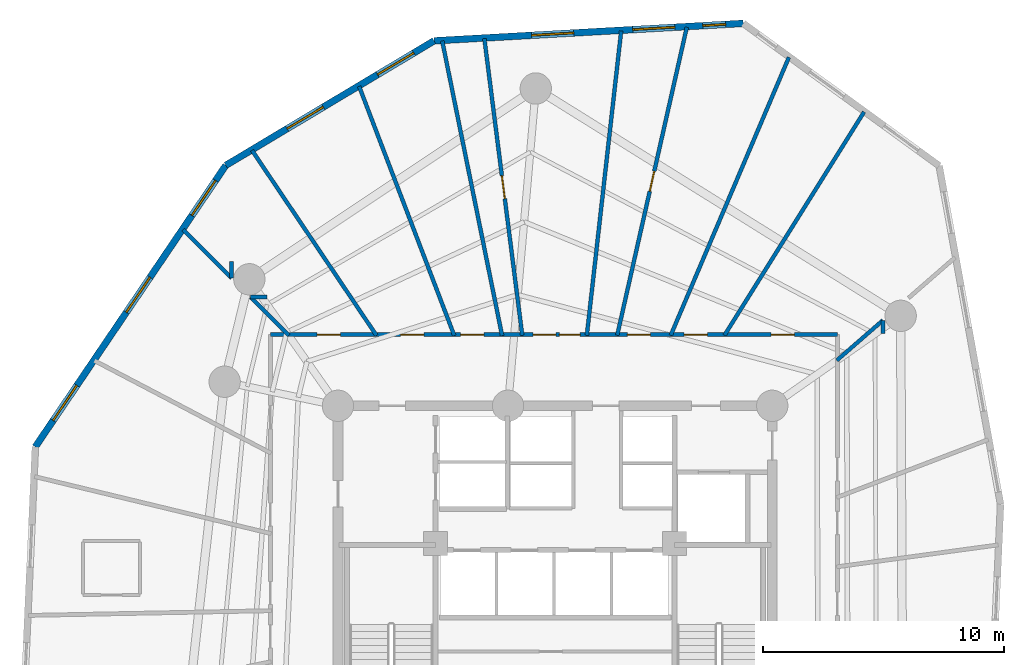
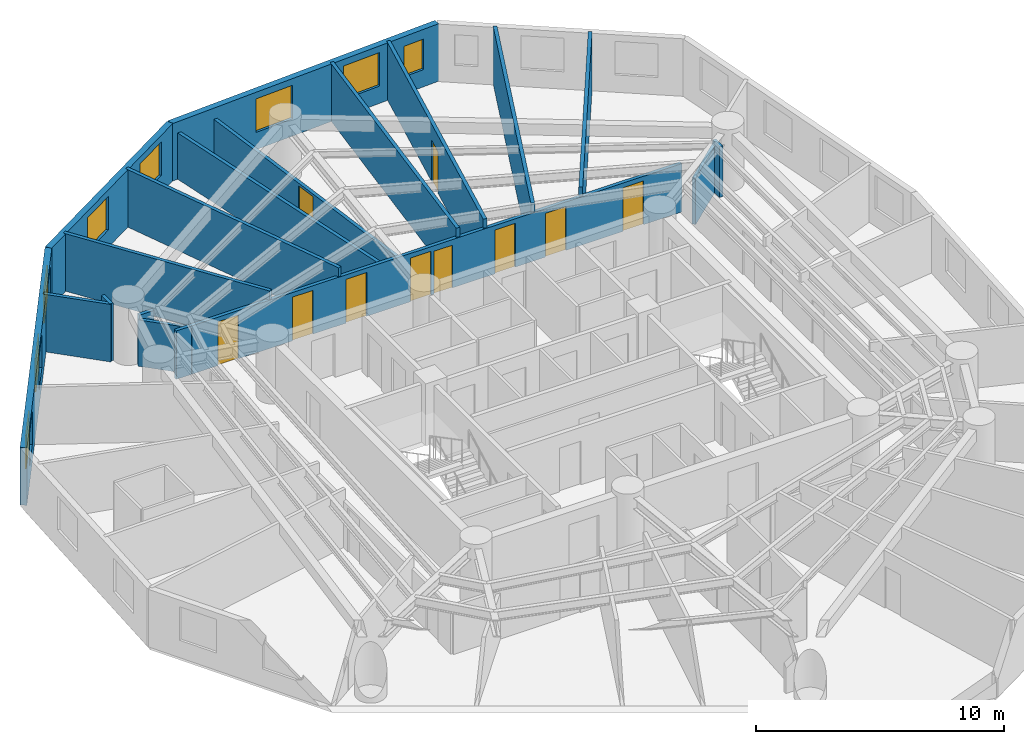
# One storey, part 6 of 8: 18 walls, 10 doors, 8 windows, 18 openings.
"""IFC4 building model written with IfcOpenShell, lengths in metres."""

from ifc_helpers import new_model, si_unit, direction, frame, frame_2d, origin, origin_with_axes, place, context, subcontext, project, spatial, rectangle, extrude, source, transform, mapped, material, layer, layer_set, type_object, element, fill, save


model = new_model("IFC4")

# Units and contexts
model_context = context("Model", 3, precision=1e-05, world=origin(), true_north=direction((0.0, 1.0)))
body_context = subcontext(model_context, "Body", "Model", "MODEL_VIEW")
ifc_project = project(units=[si_unit("LENGTHUNIT", "METRE"), si_unit("AREAUNIT", "SQUARE_METRE"), si_unit("VOLUMEUNIT", "CUBIC_METRE"), si_unit("PLANEANGLEUNIT", "RADIAN"), si_unit("MASSUNIT", "GRAM", prefix="KILO")], contexts=[model_context])

# Site, building, storey
site_placement = place(None, origin())
site = spatial("IfcSite", under=ifc_project, at=site_placement, CompositionType="ELEMENT")
building_placement = place(site_placement, origin())
building = spatial("IfcBuilding", under=site, at=building_placement, Name="Karkom Vertical University and Central Library", CompositionType="ELEMENT")
storey_placement = place(building_placement, frame((0.0, 0.0, 180.949951171875)))
storey = spatial("IfcBuildingStorey", under=building, at=storey_placement, Name="L52", CompositionType="ELEMENT", Elevation=180.949951171875)

# Wall, openings, windows
ifc_material_1 = material(Name="Brick-faced precast concrete C45/55", Category="masonry")
ifc_layer_1 = layer(ifc_material_1, 0.280029296875)
ifc_layer_set_1 = layer_set([ifc_layer_1], Name="Brick-faced precast concrete C45/55")
wall_type_1 = type_object("IfcWallType", Name="ENV-WL-BRK-280", PredefinedType="SOLIDWALL", material=ifc_layer_set_1)
wall_1_placement = place(storey_placement, frame((36.30029296875, 50.5498046875, 0.0), z_axis=(0.0, 0.0, 1.0), x_axis=(-0.998416329784, -0.056256843315, 0.0)))
wall_1 = element("IfcWall", 1, at=wall_1_placement, inside=storey, type_object=wall_type_1, Name="Level 52 Brick-Faced Precast Facade Wall 10", PredefinedType="SOLIDWALL", context=body_context, shape_type="SweptSolid", body=[
    extrude(rectangle(XDim=12.8369140625, YDim=0.280029296875, at=frame_2d((6.41845703125, 0.0))), origin(), (0.0, 0.0, 1.0), 2.824951171875),
])
opening_1_placement = place(wall_1_placement, frame((0.73291015625, 0.0, 0.85009765625)))
opening_1 = element("IfcOpeningElement", 2, at=opening_1_placement, cuts=wall_1, Name="Opening WN-12", PredefinedType="OPENING", context=body_context, shape_type="SweptSolid", body=[
    extrude(rectangle(XDim=0.949951171875, YDim=1.5, at=frame_2d((0.47509765625, 0.75))), frame((0.0, 0.14990234375, 0.0), z_axis=(0.0, -1.0, 0.0), x_axis=(1.0, 0.0, 0.0)), (0.0, 0.0, 1.0), 0.300048828125),
])
opening_2_placement = place(wall_1_placement, frame((2.840576171875, 0.0, 0.85009765625)))
opening_2 = element("IfcOpeningElement", 3, at=opening_2_placement, cuts=wall_1, Name="Opening WN-08", PredefinedType="OPENING", context=body_context, shape_type="SweptSolid", body=[
    extrude(rectangle(XDim=1.75, YDim=1.64990234375, at=frame_2d((0.875, 0.824951171875))), frame((0.0, 0.14990234375, 0.0), z_axis=(0.0, -1.0, 0.0), x_axis=(1.0, 0.0, 0.0)), (0.0, 0.0, 1.0), 0.300048828125),
])
opening_3_placement = place(wall_1_placement, frame((7.0361328125, 0.0, 0.85009765625)))
opening_3 = element("IfcOpeningElement", 4, at=opening_3_placement, cuts=wall_1, Name="Opening WN-08", PredefinedType="OPENING", context=body_context, shape_type="SweptSolid", body=[
    extrude(rectangle(XDim=1.75, YDim=1.64990234375, at=frame_2d((0.875, 0.824951171875))), frame((0.0, 0.14990234375, 0.0), z_axis=(0.0, -1.0, 0.0), x_axis=(1.0, 0.0, 0.0)), (0.0, 0.0, 1.0), 0.300048828125),
])
ifc_material_2 = material(Name="Aluminium thermal-break frame with solar-control IGU", Category="aluminium")
window_type_1 = type_object("IfcWindowType", Name="ENV-WIN-WN-12", PartitioningType="SINGLE_PANEL", PredefinedType="WINDOW", material=ifc_material_2)
shared_shape_1 = source(origin_with_axes(), body_context, "Body", "SweptSolid", [
    extrude(rectangle(XDim=0.949951171875, YDim=1.5, at=frame_2d((0.47509765625, 0.75))), frame((0.0, 0.030029296875, 0.0), z_axis=(0.0, -1.0, 0.0), x_axis=(1.0, 0.0, 0.0)), (0.0, 0.0, 1.0), 0.06005859375),
])
window_1_placement = place(opening_1_placement, origin())
window_1 = element("IfcWindow", 5, at=window_1_placement, inside=storey, type_object=window_type_1, Name="Level 52 Punched Window 10.1", OverallHeight=1.5, OverallWidth=0.949951171875, PartitioningType="SINGLE_PANEL", PredefinedType="WINDOW", context=body_context, shape_type="MappedRepresentation", body=[
    mapped(shared_shape_1, transform((0.0, 0.0, 0.0), scale=1.0)),
])
fill(opening_1, window_1)
window_type_2 = type_object("IfcWindowType", Name="ENV-WIN-WN-08", PartitioningType="SINGLE_PANEL", PredefinedType="WINDOW", material=ifc_material_2)
shared_shape_2 = source(origin_with_axes(), body_context, "Body", "SweptSolid", [
    extrude(rectangle(XDim=1.75, YDim=1.64990234375, at=frame_2d((0.875, 0.824951171875))), frame((0.0, 0.030029296875, 0.0), z_axis=(0.0, -1.0, 0.0), x_axis=(1.0, 0.0, 0.0)), (0.0, 0.0, 1.0), 0.06005859375),
])
window_2_placement = place(opening_2_placement, origin())
window_2 = element("IfcWindow", 6, at=window_2_placement, inside=storey, type_object=window_type_2, Name="Level 52 Punched Window 10.2", OverallHeight=1.64990234375, OverallWidth=1.75, PartitioningType="SINGLE_PANEL", PredefinedType="WINDOW", context=body_context, shape_type="MappedRepresentation", body=[
    mapped(shared_shape_2, transform((0.0, 0.0, 0.0), scale=1.0)),
])
fill(opening_2, window_2)
window_3_placement = place(opening_3_placement, origin())
window_3 = element("IfcWindow", 7, at=window_3_placement, inside=storey, type_object=window_type_2, Name="Level 52 Punched Window 10.3", OverallHeight=1.64990234375, OverallWidth=1.75, PartitioningType="SINGLE_PANEL", PredefinedType="WINDOW", context=body_context, shape_type="MappedRepresentation", body=[
    mapped(shared_shape_2, transform((0.0, 0.0, 0.0), scale=1.0)),
])
fill(opening_3, window_3)

wall_2_placement = place(storey_placement, frame((23.483642578125, 49.82763671875, 0.0), z_axis=(0.0, 0.0, 1.0), x_axis=(-0.858224492281, -0.51327450828, 0.0)))
wall_2 = element("IfcWall", 8, at=wall_2_placement, inside=storey, type_object=wall_type_1, Name="Level 52 Brick-Faced Precast Facade Wall 11", PredefinedType="SOLIDWALL", context=body_context, shape_type="SweptSolid", body=[
    extrude(rectangle(XDim=10.05859375, YDim=0.280029296875, at=frame_2d((5.029296875, 0.0))), origin(), (0.0, 0.0, 1.0), 2.824951171875),
])
opening_4_placement = place(wall_2_placement, frame((0.97509765625, 0.0, 0.85009765625)))
opening_4 = element("IfcOpeningElement", 9, at=opening_4_placement, cuts=wall_2, Name="Opening WN-08", PredefinedType="OPENING", context=body_context, shape_type="SweptSolid", body=[
    extrude(rectangle(XDim=1.75, YDim=1.64990234375, at=frame_2d((0.875, 0.824951171875))), frame((0.0, 0.14990234375, 0.0), z_axis=(0.0, -1.0, 0.0), x_axis=(1.0, 0.0, 0.0)), (0.0, 0.0, 1.0), 0.300048828125),
])
opening_5_placement = place(wall_2_placement, frame((5.347412109375, 0.0, 0.85009765625)))
opening_5 = element("IfcOpeningElement", 10, at=opening_5_placement, cuts=wall_2, Name="Opening WN-08", PredefinedType="OPENING", context=body_context, shape_type="SweptSolid", body=[
    extrude(rectangle(XDim=1.75, YDim=1.64990234375, at=frame_2d((0.875, 0.824951171875))), frame((0.0, 0.14990234375, 0.0), z_axis=(0.0, -1.0, 0.0), x_axis=(1.0, 0.0, 0.0)), (0.0, 0.0, 1.0), 0.300048828125),
])
window_4_placement = place(opening_4_placement, origin())
window_4 = element("IfcWindow", 11, at=window_4_placement, inside=storey, type_object=window_type_2, Name="Level 52 Punched Window 11.1", OverallHeight=1.64990234375, OverallWidth=1.75, PartitioningType="SINGLE_PANEL", PredefinedType="WINDOW", context=body_context, shape_type="MappedRepresentation", body=[
    mapped(shared_shape_2, transform((0.0, 0.0, 0.0), scale=1.0)),
])
fill(opening_4, window_4)
window_5_placement = place(opening_5_placement, origin())
window_5 = element("IfcWindow", 12, at=window_5_placement, inside=storey, type_object=window_type_2, Name="Level 52 Punched Window 11.2", OverallHeight=1.64990234375, OverallWidth=1.75, PartitioningType="SINGLE_PANEL", PredefinedType="WINDOW", context=body_context, shape_type="MappedRepresentation", body=[
    mapped(shared_shape_2, transform((0.0, 0.0, 0.0), scale=1.0)),
])
fill(opening_5, window_5)

wall_3_placement = place(storey_placement, frame((14.85107421875, 44.664794921875, 0.0), z_axis=(0.0, 0.0, 1.0), x_axis=(-0.560470947108, -0.828174086439, 0.0)))
wall_3 = element("IfcWall", 13, at=wall_3_placement, inside=storey, type_object=wall_type_1, Name="Level 52 Brick-Faced Precast Facade Wall 12", PredefinedType="SOLIDWALL", context=body_context, shape_type="SweptSolid", body=[
    extrude(rectangle(XDim=14.084716796875, YDim=0.280029296875, at=frame_2d((7.04248046875, 0.0))), origin(), (0.0, 0.0, 1.0), 2.824951171875),
])
opening_6_placement = place(wall_3_placement, frame((0.75732421875, 0.0, 0.85009765625)))
opening_6 = element("IfcOpeningElement", 14, at=opening_6_placement, cuts=wall_3, Name="Opening WN-08", PredefinedType="OPENING", context=body_context, shape_type="SweptSolid", body=[
    extrude(rectangle(XDim=1.75, YDim=1.64990234375, at=frame_2d((0.875, 0.824951171875))), frame((0.0, 0.14990234375, 0.0), z_axis=(0.0, -1.0, 0.0), x_axis=(1.0, 0.0, 0.0)), (0.0, 0.0, 1.0), 0.300048828125),
])
opening_7_placement = place(wall_3_placement, frame((5.602783203125, 0.0, 0.85009765625)))
opening_7 = element("IfcOpeningElement", 15, at=opening_7_placement, cuts=wall_3, Name="Opening WN-08", PredefinedType="OPENING", context=body_context, shape_type="SweptSolid", body=[
    extrude(rectangle(XDim=1.75, YDim=1.64990234375, at=frame_2d((0.875, 0.824951171875))), frame((0.0, 0.14990234375, 0.0), z_axis=(0.0, -1.0, 0.0), x_axis=(1.0, 0.0, 0.0)), (0.0, 0.0, 1.0), 0.300048828125),
])
opening_8_placement = place(wall_3_placement, frame((11.012939453125, 0.0, 0.85009765625)))
opening_8 = element("IfcOpeningElement", 16, at=opening_8_placement, cuts=wall_3, Name="Opening WN-08", PredefinedType="OPENING", context=body_context, shape_type="SweptSolid", body=[
    extrude(rectangle(XDim=1.75, YDim=1.64990234375, at=frame_2d((0.875, 0.824951171875))), frame((0.0, 0.14990234375, 0.0), z_axis=(0.0, -1.0, 0.0), x_axis=(1.0, 0.0, 0.0)), (0.0, 0.0, 1.0), 0.300048828125),
])
window_6_placement = place(opening_6_placement, origin())
window_6 = element("IfcWindow", 17, at=window_6_placement, inside=storey, type_object=window_type_2, Name="Level 52 Punched Window 12.1", OverallHeight=1.64990234375, OverallWidth=1.75, PartitioningType="SINGLE_PANEL", PredefinedType="WINDOW", context=body_context, shape_type="MappedRepresentation", body=[
    mapped(shared_shape_2, transform((0.0, 0.0, 0.0), scale=1.0)),
])
fill(opening_6, window_6)
window_7_placement = place(opening_7_placement, origin())
window_7 = element("IfcWindow", 18, at=window_7_placement, inside=storey, type_object=window_type_2, Name="Level 52 Punched Window 12.2", OverallHeight=1.64990234375, OverallWidth=1.75, PartitioningType="SINGLE_PANEL", PredefinedType="WINDOW", context=body_context, shape_type="MappedRepresentation", body=[
    mapped(shared_shape_2, transform((0.0, 0.0, 0.0), scale=1.0)),
])
fill(opening_7, window_7)
window_8_placement = place(opening_8_placement, origin())
window_8 = element("IfcWindow", 19, at=window_8_placement, inside=storey, type_object=window_type_2, Name="Level 52 Punched Window 12.3", OverallHeight=1.64990234375, OverallWidth=1.75, PartitioningType="SINGLE_PANEL", PredefinedType="WINDOW", context=body_context, shape_type="MappedRepresentation", body=[
    mapped(shared_shape_2, transform((0.0, 0.0, 0.0), scale=1.0)),
])
fill(opening_8, window_8)

# Wall, openings, doors
ifc_material_3 = material(Name="Insulated metal-stud drywall 160mm", Category="gypsum")
ifc_layer_2 = layer(ifc_material_3, 0.159912109375)
ifc_layer_set_2 = layer_set([ifc_layer_2], Name="Insulated metal-stud drywall 160mm")
wall_type_2 = type_object("IfcWallType", Name="INT-WL-COR-160", PredefinedType="PARTITIONING", material=ifc_layer_set_2)
wall_4_placement = place(storey_placement, frame((16.699951171875, 37.64990234375, 0.0), z_axis=(0.0, 0.0, 1.0), x_axis=(1.0, 0.0, 0.0)))
wall_4 = element("IfcWall", 20, at=wall_4_placement, inside=storey, type_object=wall_type_2, Name="Level 52 Interior Partition Wall L52-CORW-CW-003", PredefinedType="PARTITIONING", context=body_context, shape_type="SweptSolid", body=[
    extrude(rectangle(XDim=23.5, YDim=0.159912109375, at=frame_2d((11.75, 0.0))), origin(), (0.0, 0.0, 1.0), 2.375),
])
opening_9_placement = place(wall_4_placement, frame((20.759033203125, 0.0, 0.0)))
opening_9 = element("IfcOpeningElement", 21, at=opening_9_placement, cuts=wall_4, Name="Opening FD-RM2", PredefinedType="OPENING", context=body_context, shape_type="SweptSolid", body=[
    extrude(rectangle(XDim=0.9599609375, YDim=2.14990234375, at=frame_2d((0.47998046875, 1.074951171875))), frame((0.0, 0.08984375, 0.0), z_axis=(0.0, -1.0, 0.0), x_axis=(1.0, 0.0, 0.0)), (0.0, 0.0, 1.0), 0.179931640625),
])
opening_10_placement = place(wall_4_placement, frame((17.14990234375, 0.0, 0.0)))
opening_10 = element("IfcOpeningElement", 22, at=opening_10_placement, cuts=wall_4, Name="Opening FD-RM2", PredefinedType="OPENING", context=body_context, shape_type="SweptSolid", body=[
    extrude(rectangle(XDim=0.9599609375, YDim=2.14990234375, at=frame_2d((0.47998046875, 1.074951171875))), frame((0.0, 0.08984375, 0.0), z_axis=(0.0, -1.0, 0.0), x_axis=(1.0, 0.0, 0.0)), (0.0, 0.0, 1.0), 0.179931640625),
])
opening_11_placement = place(wall_4_placement, frame((14.800048828125, 0.0, 0.0)))
opening_11 = element("IfcOpeningElement", 23, at=opening_11_placement, cuts=wall_4, Name="Opening D-RM1", PredefinedType="OPENING", context=body_context, shape_type="SweptSolid", body=[
    extrude(rectangle(XDim=0.949951171875, YDim=2.14990234375, at=frame_2d((0.47509765625, 1.074951171875))), frame((0.0, 0.08984375, 0.0), z_axis=(0.0, -1.0, 0.0), x_axis=(1.0, 0.0, 0.0)), (0.0, 0.0, 1.0), 0.179931640625),
])
opening_12_placement = place(wall_4_placement, frame((11.98193359375, 0.0, 0.0)))
opening_12 = element("IfcOpeningElement", 24, at=opening_12_placement, cuts=wall_4, Name="Opening FD-BTH1", PredefinedType="OPENING", context=body_context, shape_type="SweptSolid", body=[
    extrude(rectangle(XDim=0.860107421875, YDim=2.10009765625, at=frame_2d((0.43017578125, 1.050048828125))), frame((0.0, 0.08984375, 0.0), z_axis=(0.0, -1.0, 0.0), x_axis=(1.0, 0.0, 0.0)), (0.0, 0.0, 1.0), 0.179931640625),
])
opening_13_placement = place(wall_4_placement, frame((10.885009765625, 0.0, 0.0)))
opening_13 = element("IfcOpeningElement", 25, at=opening_13_placement, cuts=wall_4, Name="Opening D-RM1", PredefinedType="OPENING", context=body_context, shape_type="SweptSolid", body=[
    extrude(rectangle(XDim=0.949951171875, YDim=2.14990234375, at=frame_2d((0.47509765625, 1.074951171875))), frame((0.0, 0.08984375, 0.0), z_axis=(0.0, -1.0, 0.0), x_axis=(1.0, 0.0, 0.0)), (0.0, 0.0, 1.0), 0.179931640625),
])
opening_14_placement = place(wall_4_placement, frame((7.889892578125, 0.0, 0.0)))
opening_14 = element("IfcOpeningElement", 26, at=opening_14_placement, cuts=wall_4, Name="Opening FD-RM2", PredefinedType="OPENING", context=body_context, shape_type="SweptSolid", body=[
    extrude(rectangle(XDim=0.9599609375, YDim=2.14990234375, at=frame_2d((0.47998046875, 1.074951171875))), frame((0.0, 0.08984375, 0.0), z_axis=(0.0, -1.0, 0.0), x_axis=(1.0, 0.0, 0.0)), (0.0, 0.0, 1.0), 0.179931640625),
])
opening_15_placement = place(wall_4_placement, frame((5.39990234375, 0.0, 0.0)))
opening_15 = element("IfcOpeningElement", 27, at=opening_15_placement, cuts=wall_4, Name="Opening FD-RM2", PredefinedType="OPENING", context=body_context, shape_type="SweptSolid", body=[
    extrude(rectangle(XDim=0.9599609375, YDim=2.14990234375, at=frame_2d((0.47998046875, 1.074951171875))), frame((0.0, 0.08984375, 0.0), z_axis=(0.0, -1.0, 0.0), x_axis=(1.0, 0.0, 0.0)), (0.0, 0.0, 1.0), 0.179931640625),
])
opening_16_placement = place(wall_4_placement, frame((1.939208984375, 0.0, 0.0)))
opening_16 = element("IfcOpeningElement", 28, at=opening_16_placement, cuts=wall_4, Name="Opening FD-RM2", PredefinedType="OPENING", context=body_context, shape_type="SweptSolid", body=[
    extrude(rectangle(XDim=0.9599609375, YDim=2.14990234375, at=frame_2d((0.47998046875, 1.074951171875))), frame((0.0, 0.08984375, 0.0), z_axis=(0.0, -1.0, 0.0), x_axis=(1.0, 0.0, 0.0)), (0.0, 0.0, 1.0), 0.179931640625),
])
ifc_material_4 = material(Name="Fire-rated oak veneer door", Category="wood")
door_type_1 = type_object("IfcDoorType", Name="INT-DR-FRM2", OperationType="NOTDEFINED", PredefinedType="DOOR", material=ifc_material_4)
shared_shape_3 = source(origin_with_axes(), body_context, "Body", "SweptSolid", [
    extrude(rectangle(XDim=0.9599609375, YDim=2.14990234375, at=frame_2d((0.47998046875, 1.074951171875))), frame((0.0, 0.02490234375, 0.0), z_axis=(0.0, -1.0, 0.0), x_axis=(1.0, 0.0, 0.0)), (0.0, 0.0, 1.0), 0.050048828125),
])
door_1_placement = place(opening_9_placement, origin())
door_1 = element("IfcDoor", 29, at=door_1_placement, inside=storey, type_object=door_type_1, Name="Level 52 Room Entry Door 150", OperationType="SINGLE_SWING_RIGHT", OverallHeight=2.14990234375, OverallWidth=0.9599609375, PredefinedType="DOOR", context=body_context, shape_type="MappedRepresentation", body=[
    mapped(shared_shape_3, transform((0.0, 0.0, 0.0), scale=1.0)),
])
fill(opening_9, door_1)
door_2_placement = place(opening_10_placement, origin())
door_2 = element("IfcDoor", 30, at=door_2_placement, inside=storey, type_object=door_type_1, Name="Level 52 Room Entry Door 160", OperationType="SINGLE_SWING_LEFT", OverallHeight=2.14990234375, OverallWidth=0.9599609375, PredefinedType="DOOR", context=body_context, shape_type="MappedRepresentation", body=[
    mapped(shared_shape_3, transform((0.0, 0.0, 0.0), scale=1.0)),
])
fill(opening_10, door_2)
door_3_placement = place(opening_14_placement, origin())
door_3 = element("IfcDoor", 31, at=door_3_placement, inside=storey, type_object=door_type_1, Name="Level 52 Room Entry Door 210", OperationType="SINGLE_SWING_LEFT", OverallHeight=2.14990234375, OverallWidth=0.9599609375, PredefinedType="DOOR", context=body_context, shape_type="MappedRepresentation", body=[
    mapped(shared_shape_3, transform((0.0, 0.0, 0.0), scale=1.0)),
])
fill(opening_14, door_3)
door_4_placement = place(opening_15_placement, origin())
door_4 = element("IfcDoor", 32, at=door_4_placement, inside=storey, type_object=door_type_1, Name="Level 52 Room Entry Door 220", OperationType="SINGLE_SWING_RIGHT", OverallHeight=2.14990234375, OverallWidth=0.9599609375, PredefinedType="DOOR", context=body_context, shape_type="MappedRepresentation", body=[
    mapped(shared_shape_3, transform((0.0, 0.0, 0.0), scale=1.0)),
])
fill(opening_15, door_4)
door_5_placement = place(opening_16_placement, origin())
door_5 = element("IfcDoor", 33, at=door_5_placement, inside=storey, type_object=door_type_1, Name="Level 52 Room Entry Door 230", OperationType="SINGLE_SWING_LEFT", OverallHeight=2.14990234375, OverallWidth=0.9599609375, PredefinedType="DOOR", context=body_context, shape_type="MappedRepresentation", body=[
    mapped(shared_shape_3, transform((0.0, 0.0, 0.0), scale=1.0)),
])
fill(opening_16, door_5)
ifc_material_5 = material(Name="Fire-rated moisture-resistant oak door", Category="wood")
door_type_2 = type_object("IfcDoorType", Name="INT-DR-FBTH1", OperationType="NOTDEFINED", PredefinedType="DOOR", material=ifc_material_5)
shared_shape_4 = source(origin_with_axes(), body_context, "Body", "SweptSolid", [
    extrude(rectangle(XDim=0.860107421875, YDim=2.10009765625, at=frame_2d((0.43017578125, 1.050048828125))), frame((0.0, 0.02490234375, 0.0), z_axis=(0.0, -1.0, 0.0), x_axis=(1.0, 0.0, 0.0)), (0.0, 0.0, 1.0), 0.050048828125),
])
door_6_placement = place(opening_12_placement, origin())
door_6 = element("IfcDoor", 34, at=door_6_placement, inside=storey, type_object=door_type_2, Name="Level 52 Room Entry Door 180", OperationType="SINGLE_SWING_LEFT", OverallHeight=2.10009765625, OverallWidth=0.860107421875, PredefinedType="DOOR", context=body_context, shape_type="MappedRepresentation", body=[
    mapped(shared_shape_4, transform((0.0, 0.0, 0.0), scale=1.0)),
])
fill(opening_12, door_6)
ifc_material_6 = material(Name="Solid-core oak veneer door", Category="wood")
door_type_3 = type_object("IfcDoorType", Name="INT-DR-RM1", OperationType="NOTDEFINED", PredefinedType="DOOR", material=ifc_material_6)
shared_shape_5 = source(origin_with_axes(), body_context, "Body", "SweptSolid", [
    extrude(rectangle(XDim=0.949951171875, YDim=2.14990234375, at=frame_2d((0.47509765625, 1.074951171875))), frame((0.0, 0.02490234375, 0.0), z_axis=(0.0, -1.0, 0.0), x_axis=(1.0, 0.0, 0.0)), (0.0, 0.0, 1.0), 0.050048828125),
])
door_7_placement = place(opening_11_placement, origin())
door_7 = element("IfcDoor", 35, at=door_7_placement, inside=storey, type_object=door_type_3, Name="Level 52 Room Entry Door 170", OperationType="SINGLE_SWING_RIGHT", OverallHeight=2.14990234375, OverallWidth=0.949951171875, PredefinedType="DOOR", context=body_context, shape_type="MappedRepresentation", body=[
    mapped(shared_shape_5, transform((0.0, 0.0, 0.0), scale=1.0)),
])
fill(opening_11, door_7)
door_8_placement = place(opening_13_placement, origin())
door_8 = element("IfcDoor", 36, at=door_8_placement, inside=storey, type_object=door_type_3, Name="Level 52 Room Entry Door 190", OperationType="SINGLE_SWING_RIGHT", OverallHeight=2.14990234375, OverallWidth=0.949951171875, PredefinedType="DOOR", context=body_context, shape_type="MappedRepresentation", body=[
    mapped(shared_shape_5, transform((0.0, 0.0, 0.0), scale=1.0)),
])
fill(opening_13, door_8)

# Wall, opening, door
wall_5_placement = place(storey_placement, frame((31.07421875, 37.62060546875, 0.0), z_axis=(0.0, 0.0, 1.0), x_axis=(0.220370767659, 0.975416180285, 0.0)))
wall_5 = element("IfcWall", 37, at=wall_5_placement, inside=storey, type_object=wall_type_2, Name="Level 52 Interior Partition Wall L52-PW-025", PredefinedType="PARTITIONING", context=body_context, shape_type="SweptSolid", body=[
    extrude(rectangle(XDim=13.091552734375, YDim=0.159912109375, at=frame_2d((6.5458984375, 0.0))), origin(), (0.0, 0.0, 1.0), 2.824951171875),
])
opening_17_placement = place(wall_5_placement, frame((6.11572265625, 0.0, 0.0)))
opening_17 = element("IfcOpeningElement", 38, at=opening_17_placement, cuts=wall_5, Name="Opening FD-BTH2", PredefinedType="OPENING", context=body_context, shape_type="SweptSolid", body=[
    extrude(rectangle(XDim=0.860107421875, YDim=2.0400390625, at=frame_2d((0.43017578125, 1.02001953125))), frame((0.0, 0.08984375, 0.0), z_axis=(0.0, -1.0, 0.0), x_axis=(1.0, 0.0, 0.0)), (0.0, 0.0, 1.0), 0.179931640625),
])
door_type_4 = type_object("IfcDoorType", Name="INT-DR-FBTH2", OperationType="NOTDEFINED", PredefinedType="DOOR", material=ifc_material_5)
shared_shape_6 = source(origin_with_axes(), body_context, "Body", "SweptSolid", [
    extrude(rectangle(XDim=0.860107421875, YDim=2.0400390625, at=frame_2d((0.43017578125, 1.02001953125))), frame((0.0, 0.02490234375, 0.0), z_axis=(0.0, -1.0, 0.0), x_axis=(1.0, 0.0, 0.0)), (0.0, 0.0, 1.0), 0.050048828125),
])
door_9_placement = place(opening_17_placement, origin())
door_9 = element("IfcDoor", 39, at=door_9_placement, inside=storey, type_object=door_type_4, Name="Level 52 University Seminar Classroom Entry Door", OperationType="SINGLE_SWING_RIGHT", OverallHeight=2.0400390625, OverallWidth=0.860107421875, PredefinedType="DOOR", context=body_context, shape_type="MappedRepresentation", body=[
    mapped(shared_shape_6, transform((0.0, 0.0, 0.0), scale=1.0)),
])
fill(opening_17, door_9)

# Walls
wall_6_placement = place(storey_placement, frame((29.81591796875, 37.6201171875, 0.0), z_axis=(0.0, 0.0, 1.0), x_axis=(0.112180638673, 0.993687830411, 0.0)))
element("IfcWall", 40, at=wall_6_placement, inside=storey, type_object=wall_type_2, Name="Level 52 Interior Partition Wall L52-PW-026", PredefinedType="PARTITIONING", context=body_context, shape_type="SweptSolid", body=[
    extrude(rectangle(XDim=12.69873046875, YDim=0.159912109375, at=frame_2d((6.349365234375, 0.0))), origin(), (0.0, 0.0, 1.0), 2.824951171875),
])
wall_7_placement = place(storey_placement, frame((33.29345703125, 37.622314453125, 0.0), z_axis=(0.0, 0.0, 1.0), x_axis=(0.391217863874, 0.920298094633, 0.0)))
element("IfcWall", 41, at=wall_7_placement, inside=storey, type_object=wall_type_2, Name="Level 52 Interior Partition Wall L52-PW-024", PredefinedType="PARTITIONING", context=body_context, shape_type="SweptSolid", body=[
    extrude(rectangle(XDim=12.5185546875, YDim=0.159912109375, at=frame_2d((6.25927734375, 0.0))), origin(), (0.0, 0.0, 1.0), 2.824951171875),
])
wall_8_placement = place(storey_placement, frame((26.3046875, 37.60595703125, 0.0), z_axis=(0.0, 0.0, 1.0), x_axis=(-0.199132224826, 0.979972630759, 0.0)))
element("IfcWall", 42, at=wall_8_placement, inside=storey, type_object=wall_type_2, Name="Level 52 Interior Partition Wall L52-PW-028", PredefinedType="PARTITIONING", context=body_context, shape_type="SweptSolid", body=[
    extrude(rectangle(XDim=12.465087890625, YDim=0.159912109375, at=frame_2d((6.232421875, 0.0))), origin(), (0.0, 0.0, 1.0), 2.275146484375),
])

# Wall, opening, door
wall_9_placement = place(storey_placement, frame((27.139892578125, 37.6201171875, 0.0), z_axis=(0.0, 0.0, 1.0), x_axis=(-0.126699899655, 0.991941094737, 0.0)))
wall_9 = element("IfcWall", 43, at=wall_9_placement, inside=storey, type_object=wall_type_2, Name="Level 52 Interior Partition Wall L52-PW-027", PredefinedType="PARTITIONING", context=body_context, shape_type="SweptSolid", body=[
    extrude(rectangle(XDim=12.399658203125, YDim=0.159912109375, at=frame_2d((6.19970703125, 0.0))), origin(), (0.0, 0.0, 1.0), 2.275146484375),
])
opening_18_placement = place(wall_9_placement, frame((5.70751953125, 0.0, 0.0)))
opening_18 = element("IfcOpeningElement", 44, at=opening_18_placement, cuts=wall_9, Name="Opening FD-RM2", PredefinedType="OPENING", context=body_context, shape_type="SweptSolid", body=[
    extrude(rectangle(XDim=0.9599609375, YDim=2.14990234375, at=frame_2d((0.47998046875, 1.074951171875))), frame((0.0, 0.08984375, 0.0), z_axis=(0.0, -1.0, 0.0), x_axis=(1.0, 0.0, 0.0)), (0.0, 0.0, 1.0), 0.179931640625),
])
door_10_placement = place(opening_18_placement, origin())
door_10 = element("IfcDoor", 45, at=door_10_placement, inside=storey, type_object=door_type_1, Name="Level 52 Room Entry Door 200", OperationType="SINGLE_SWING_LEFT", OverallHeight=2.14990234375, OverallWidth=0.9599609375, PredefinedType="DOOR", context=body_context, shape_type="MappedRepresentation", body=[
    mapped(shared_shape_3, transform((0.0, 0.0, 0.0), scale=1.0)),
])
fill(opening_18, door_10)

# Walls
wall_10_placement = place(storey_placement, frame((24.3232421875, 37.60791015625, 0.0), z_axis=(0.0, 0.0, 1.0), x_axis=(-0.356683700692, 0.934225207142, 0.0)))
element("IfcWall", 46, at=wall_10_placement, inside=storey, type_object=wall_type_2, Name="Level 52 Interior Partition Wall L52-PW-029", PredefinedType="PARTITIONING", context=body_context, shape_type="SweptSolid", body=[
    extrude(rectangle(XDim=11.059814453125, YDim=0.159912109375, at=frame_2d((5.52978515625, 0.0))), origin(), (0.0, 0.0, 1.0), 2.824951171875),
])
wall_11_placement = place(storey_placement, frame((35.522216796875, 37.62451171875, 0.0), z_axis=(0.0, 0.0, 1.0), x_axis=(0.529920527349, 0.848047306873, 0.0)))
element("IfcWall", 47, at=wall_11_placement, inside=storey, type_object=wall_type_2, Name="Level 52 Interior Partition Wall L52-PW-023", PredefinedType="PARTITIONING", context=body_context, shape_type="SweptSolid", body=[
    extrude(rectangle(XDim=10.915283203125, YDim=0.159912109375, at=frame_2d((5.45751953125, 0.0))), origin(), (0.0, 0.0, 1.0), 2.824951171875),
])
wall_12_placement = place(storey_placement, frame((21.09912109375, 37.61279296875, 0.0), z_axis=(0.0, 0.0, 1.0), x_axis=(-0.558064985306, 0.829797247631, 0.0)))
element("IfcWall", 48, at=wall_12_placement, inside=storey, type_object=wall_type_2, Name="Level 52 Interior Partition Wall L52-PW-030", PredefinedType="PARTITIONING", context=body_context, shape_type="SweptSolid", body=[
    extrude(rectangle(XDim=9.2470703125, YDim=0.159912109375, at=frame_2d((4.62353515625, 0.0))), origin(), (0.0, 0.0, 1.0), 2.824951171875),
])
wall_13_placement = place(storey_placement, frame((15.089111328125, 39.993408203125, 0.0), z_axis=(0.0, 0.0, 1.0), x_axis=(-0.70723570156, 0.706977837304, 0.0)))
element("IfcWall", 49, at=wall_13_placement, inside=storey, type_object=wall_type_2, Name="Level 52 Interior Partition Wall L52-PW-034", PredefinedType="PARTITIONING", context=body_context, shape_type="SweptSolid", body=[
    extrude(rectangle(XDim=2.84033203125, YDim=0.159912109375, at=frame_2d((1.420166015625, 0.0))), origin(), (0.0, 0.0, 1.0), 2.824951171875),
])
wall_14_placement = place(storey_placement, frame((40.177490234375, 36.58203125, 0.0), z_axis=(0.0, 0.0, 1.0), x_axis=(0.754339267737, 0.656484782116, 0.0)))
element("IfcWall", 50, at=wall_14_placement, inside=storey, type_object=wall_type_2, Name="Level 52 Interior Partition Wall L52-PW-020", PredefinedType="PARTITIONING", context=body_context, shape_type="SweptSolid", body=[
    extrude(rectangle(XDim=2.52734375, YDim=0.159912109375, at=frame_2d((1.263671875, 0.0))), origin(), (0.0, 0.0, 1.0), 2.275146484375),
])
wall_15_placement = place(storey_placement, frame((17.464599609375, 37.6181640625, 0.0), z_axis=(0.0, 0.0, 1.0), x_axis=(-0.70721569251, 0.706997853085, 0.0)))
element("IfcWall", 51, at=wall_15_placement, inside=storey, type_object=wall_type_2, Name="Level 52 Interior Partition Wall L52-PW-031", PredefinedType="PARTITIONING", context=body_context, shape_type="SweptSolid", body=[
    extrude(rectangle(XDim=2.241455078125, YDim=0.159912109375, at=frame_2d((1.12060546875, 0.0))), origin(), (0.0, 0.0, 1.0), 2.275146484375),
])
wall_16_placement = place(storey_placement, frame((15.089111328125, 40.68310546875, 0.0), z_axis=(0.0, 0.0, 1.0), x_axis=(0.0, -1.0, 0.0)))
element("IfcWall", 52, at=wall_16_placement, inside=storey, type_object=wall_type_2, Name="Level 52 Interior Partition Wall L52-PW-033", PredefinedType="PARTITIONING", context=body_context, shape_type="SweptSolid", body=[
    extrude(rectangle(XDim=0.689697265625, YDim=0.159912109375, at=frame_2d((0.3447265625, 0.0))), origin(), (0.0, 0.0, 1.0), 2.824951171875),
])
wall_17_placement = place(storey_placement, frame((15.87939453125, 39.202880859375, 0.0), z_axis=(0.0, 0.0, 1.0), x_axis=(1.0, 0.0, 0.0)))
element("IfcWall", 53, at=wall_17_placement, inside=storey, type_object=wall_type_2, Name="Level 52 Interior Partition Wall L52-PW-032", PredefinedType="PARTITIONING", context=body_context, shape_type="SweptSolid", body=[
    extrude(rectangle(XDim=0.689697265625, YDim=0.159912109375, at=frame_2d((0.3447265625, 0.0))), origin(), (0.0, 0.0, 1.0), 2.4951171875),
])
wall_18_placement = place(storey_placement, frame((42.083984375, 38.2412109375, 0.0), z_axis=(0.0, 0.0, 1.0), x_axis=(0.0, -1.0, 0.0)))
element("IfcWall", 54, at=wall_18_placement, inside=storey, type_object=wall_type_2, Name="Level 52 Interior Partition Wall L52-PW-021", PredefinedType="PARTITIONING", context=body_context, shape_type="SweptSolid", body=[
    extrude(rectangle(XDim=0.55322265625, YDim=0.159912109375, at=frame_2d((0.276611328125, 0.0))), origin(), (0.0, 0.0, 1.0), 2.4951171875),
])

save(model, "model.ifc")
